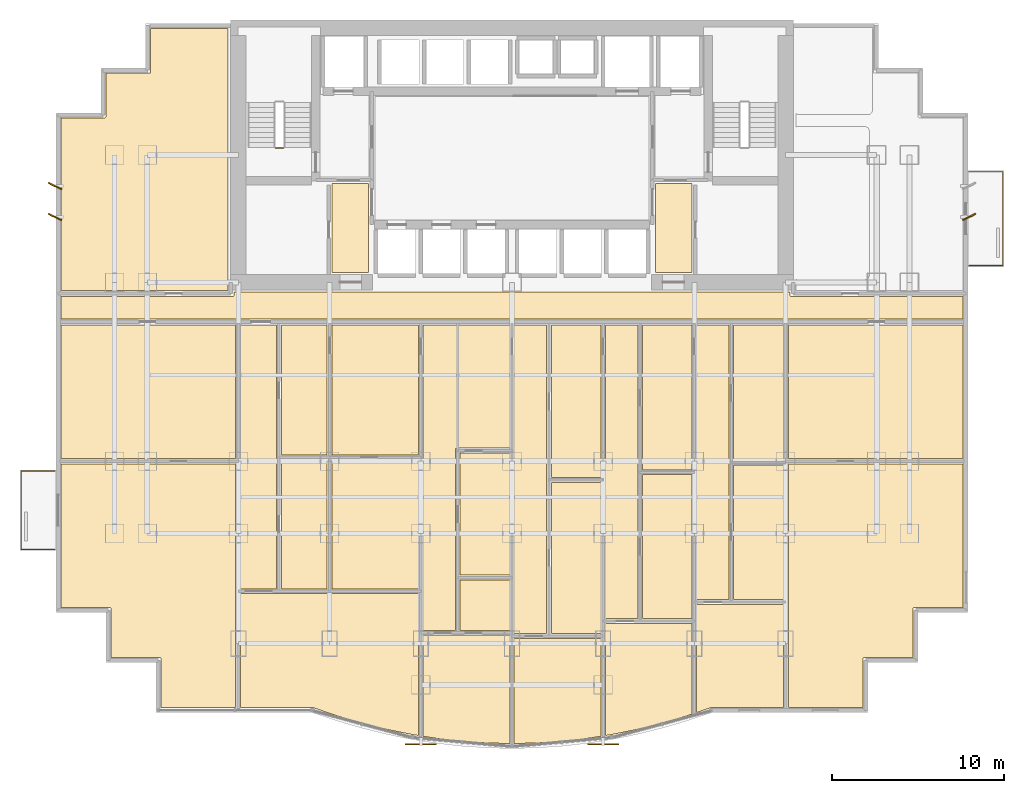
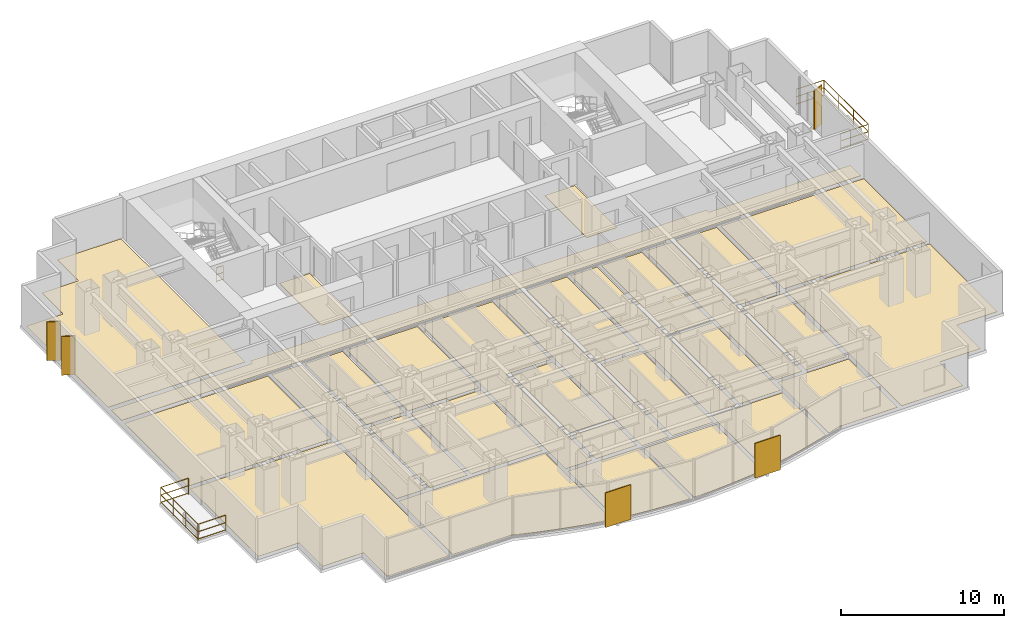
# One storey, part 9 of 10: 30 coverings, 5 shading devices, 3 railings.
"""IFC4 building model written with IfcOpenShell, lengths in metres."""

from ifc_helpers import new_model, si_unit, direction, frame, origin, origin_2d, place, context, subcontext, project, spatial, polyline, rectangle, circle, outline, extrude, source, transform, mapped, material, layer, layer_set, type_object, element, save


model = new_model("IFC4")

# Units and contexts
model_context = context("Model", 3, precision=1e-05, world=origin(), true_north=direction((0.0, 1.0)))
body_context = subcontext(model_context, "Body", "Model", "MODEL_VIEW")
ifc_project = project(units=[si_unit("LENGTHUNIT", "METRE"), si_unit("AREAUNIT", "SQUARE_METRE"), si_unit("VOLUMEUNIT", "CUBIC_METRE"), si_unit("PLANEANGLEUNIT", "RADIAN"), si_unit("MASSUNIT", "GRAM", prefix="KILO")], contexts=[model_context])

# Site, building, storey
site_placement = place(None, origin())
site = spatial("IfcSite", under=ifc_project, at=site_placement, CompositionType="ELEMENT")
building_placement = place(site_placement, origin())
building = spatial("IfcBuilding", under=site, at=building_placement, Name="Qianlan Lanfeng Residences", CompositionType="ELEMENT")
storey_placement = place(building_placement, frame((0.0, 0.0, 60.5)))
storey = spatial("IfcBuildingStorey", under=building, at=storey_placement, Name="L16", CompositionType="ELEMENT", Elevation=60.5)

# Coverings
ifc_material_1 = material(Name="Honed Taitung Granite Stone Flooring", Category="masonry")
ifc_layer_1 = layer(ifc_material_1, 0.030029296875)
ifc_layer_set_1 = layer_set([ifc_layer_1], Name="Honed Taitung Granite Stone Flooring")
covering_type_1 = type_object("IfcCoveringType", Name="FLR-STN-30", PredefinedType="FLOORING", material=ifc_layer_set_1)
covering_1_placement = place(storey_placement, origin())
element("IfcCovering", 1, at=covering_1_placement, inside=storey, type_object=covering_type_1, Name="L16 Residential Corridor Floor Finish", PredefinedType="FLOORING", context=body_context, shape_type="SweptSolid", body=[
    extrude(outline(polyline([(0.2900390625, 23.080078125), (52.7099609375, 23.080078125), (52.7099609375, 24.3701171875), (42.739990234375, 24.3701171875), (42.73291015625, 24.3701171875), (42.72607421875, 24.37109375), (42.719970703125, 24.373046875), (42.712890625, 24.375), (42.70703125, 24.3779296875), (42.700927734375, 24.382080078125), (42.696044921875, 24.385986328125), (42.69091796875, 24.39111328125), (42.68603515625, 24.39599609375), (42.681884765625, 24.40087890625), (42.677978515625, 24.406982421875), (42.675048828125, 24.4130859375), (42.673095703125, 24.419921875), (42.6708984375, 24.426025390625), (42.669921875, 24.43310546875), (42.669921875, 24.43994140625), (42.669921875, 24.64990234375), (10.330078125, 24.64990234375), (10.330078125, 24.43994140625), (10.330078125, 24.43310546875), (10.3291015625, 24.426025390625), (10.326904296875, 24.419921875), (10.324951171875, 24.4130859375), (10.322021484375, 24.406982421875), (10.318115234375, 24.40087890625), (10.31396484375, 24.39599609375), (10.30908203125, 24.39111328125), (10.303955078125, 24.385986328125), (10.299072265625, 24.382080078125), (10.29296875, 24.3779296875), (10.287109375, 24.375), (10.280029296875, 24.373046875), (10.27392578125, 24.37109375), (10.26708984375, 24.3701171875), (10.260009765625, 24.3701171875), (0.2900390625, 24.3701171875), (0.2900390625, 23.080078125)])), origin(), (0.0, 0.0, 1.0), 0.030029296875),
])
covering_2_placement = place(storey_placement, origin())
element("IfcCovering", 2, at=covering_2_placement, inside=storey, type_object=covering_type_1, Name="L16 Lift Lobby Floor Finish", PredefinedType="FLOORING", context=body_context, shape_type="SweptSolid", body=[
    extrude(outline(polyline([(16.030029296875, 25.760009765625), (18.169921875, 25.760009765625), (18.169921875, 30.949951171875), (16.030029296875, 30.949951171875), (16.030029296875, 25.760009765625)])), origin(), (0.0, 0.0, 1.0), 0.030029296875),
])
covering_3_placement = place(storey_placement, origin())
element("IfcCovering", 3, at=covering_3_placement, inside=storey, type_object=covering_type_1, Name="L16 Lift Lobby Floor Finish", PredefinedType="FLOORING", context=body_context, shape_type="SweptSolid", body=[
    extrude(outline(polyline([(34.830078125, 25.760009765625), (36.969970703125, 25.760009765625), (36.969970703125, 30.949951171875), (34.830078125, 30.949951171875), (34.830078125, 25.760009765625)])), origin(), (0.0, 0.0, 1.0), 0.030029296875),
])
ifc_material_2 = material(Name="Slip-Resistant Porcelain Tile Flooring")
ifc_layer_2 = layer(ifc_material_2, 0.02001953125)
ifc_layer_set_2 = layer_set([ifc_layer_2], Name="Slip-Resistant Porcelain Tile Flooring")
covering_type_2 = type_object("IfcCoveringType", Name="FLR-TIL-20", PredefinedType="FLOORING", material=ifc_layer_set_2)
covering_4_placement = place(storey_placement, origin())
element("IfcCovering", 4, at=covering_4_placement, inside=storey, type_object=covering_type_2, Name="L16 Kitchen Floor Finish", PredefinedType="FLOORING", context=body_context, shape_type="SweptSolid", body=[
    extrude(outline(polyline([(13.090087890625, 7.386962890625), (15.760009765625, 7.386962890625), (15.760009765625, 14.884033203125), (13.090087890625, 14.884033203125), (13.090087890625, 7.386962890625)])), origin(), (0.0, 0.0, 1.0), 0.02001953125),
])
covering_5_placement = place(storey_placement, origin())
element("IfcCovering", 5, at=covering_5_placement, inside=storey, type_object=covering_type_2, Name="L16 Bathroom Floor Finish", PredefinedType="FLOORING", context=body_context, shape_type="SweptSolid", body=[
    extrude(outline(polyline([(13.090087890625, 15.1640625), (15.760009765625, 15.1640625), (15.760009765625, 22.72998046875), (13.090087890625, 22.72998046875), (13.090087890625, 15.1640625)])), origin(), (0.0, 0.0, 1.0), 0.02001953125),
])
covering_6_placement = place(storey_placement, origin())
element("IfcCovering", 6, at=covering_6_placement, inside=storey, type_object=covering_type_2, Name="L16 En-Suite Bathroom Floor Finish", PredefinedType="FLOORING", context=body_context, shape_type="SweptSolid", body=[
    extrude(outline(polyline([(23.489990234375, 4.97412109375), (26.3701171875, 4.97412109375), (26.3701171875, 7.89404296875), (23.489990234375, 7.89404296875), (23.489990234375, 4.97412109375)])), origin(), (0.0, 0.0, 1.0), 0.02001953125),
])
ifc_material_3 = material(Name="Engineered Smoked Oak Timber Flooring", Category="wood")
ifc_layer_3 = layer(ifc_material_3, 0.02197265625)
ifc_layer_set_3 = layer_set([ifc_layer_3], Name="Engineered Smoked Oak Timber Flooring")
covering_type_3 = type_object("IfcCoveringType", Name="FLR-TIM-22", PredefinedType="FLOORING", material=ifc_layer_set_3)
covering_7_placement = place(storey_placement, origin())
element("IfcCovering", 7, at=covering_7_placement, inside=storey, type_object=covering_type_3, Name="L16 Living and Dining Room Floor Finish", PredefinedType="FLOORING", context=body_context, shape_type="SweptSolid", body=[
    extrude(outline(polyline([(10.72998046875, 7.10693359375), (10.72998046875, 0.489990234375), (14.885986328125, 0.489990234375), (14.89404296875, 0.489990234375), (14.90087890625, 0.488037109375), (14.908935546875, 0.486083984375), (16.39306640625, -0.014892578125), (17.837890625, -0.43896484375), (19.282958984375, -0.797119140625), (20.72607421875, -1.090087890625), (21.070068359375, -1.14404296875), (21.070068359375, 7.10693359375), (10.72998046875, 7.10693359375)])), origin(), (0.0, 0.0, 1.0), 0.02197265625),
])
covering_8_placement = place(storey_placement, origin())
element("IfcCovering", 8, at=covering_8_placement, inside=storey, type_object=covering_type_3, Name="L16 Family Sitting Room Floor Finish", PredefinedType="FLOORING", context=body_context, shape_type="SweptSolid", body=[
    extrude(outline(polyline([(10.72998046875, 7.386962890625), (12.81005859375, 7.386962890625), (12.81005859375, 22.72998046875), (10.72998046875, 22.72998046875), (10.72998046875, 7.386962890625)])), origin(), (0.0, 0.0, 1.0), 0.02197265625),
])
covering_9_placement = place(storey_placement, origin())
element("IfcCovering", 9, at=covering_9_placement, inside=storey, type_object=covering_type_3, Name="L16 Yoga Studio Floor Finish", PredefinedType="FLOORING", context=body_context, shape_type="SweptSolid", body=[
    extrude(outline(polyline([(16.0400390625, 7.386962890625), (21.06005859375, 7.386962890625), (21.06005859375, 14.884033203125), (16.0400390625, 14.884033203125), (16.0400390625, 7.386962890625)])), origin(), (0.0, 0.0, 1.0), 0.02197265625),
])
covering_10_placement = place(storey_placement, origin())
element("IfcCovering", 10, at=covering_10_placement, inside=storey, type_object=covering_type_3, Name="L16 Club Reading Salon Floor Finish", PredefinedType="FLOORING", context=body_context, shape_type="SweptSolid", body=[
    extrude(outline(polyline([(16.0400390625, 15.1640625), (21.06005859375, 15.1640625), (21.06005859375, 22.72998046875), (16.0400390625, 22.72998046875), (16.0400390625, 15.1640625)])), origin(), (0.0, 0.0, 1.0), 0.02197265625),
])
covering_11_placement = place(storey_placement, origin())
element("IfcCovering", 11, at=covering_11_placement, inside=storey, type_object=covering_type_3, Name="L16 Private Study Floor Finish", PredefinedType="FLOORING", context=body_context, shape_type="SweptSolid", body=[
    extrude(outline(polyline([(23.489990234375, 8.174072265625), (26.3701171875, 8.174072265625), (26.3701171875, 15.277099609375), (23.489990234375, 15.277099609375), (23.489990234375, 8.174072265625)])), origin(), (0.0, 0.0, 1.0), 0.02197265625),
])
covering_12_placement = place(storey_placement, origin())
element("IfcCovering", 12, at=covering_12_placement, inside=storey, type_object=covering_type_3, Name="L16 Villa Family Sitting Room Floor Finish", PredefinedType="FLOORING", context=body_context, shape_type="SweptSolid", body=[
    extrude(outline(polyline([(21.330078125, 4.97412109375), (23.2099609375, 4.97412109375), (23.2099609375, 15.487060546875), (23.2099609375, 15.493896484375), (23.2109375, 15.5009765625), (23.212890625, 15.507080078125), (23.215087890625, 15.513916015625), (23.218017578125, 15.52001953125), (23.221923828125, 15.52587890625), (23.22607421875, 15.531005859375), (23.23095703125, 15.535888671875), (23.236083984375, 15.541015625), (23.240966796875, 15.544921875), (23.2470703125, 15.549072265625), (23.2529296875, 15.552001953125), (23.260009765625, 15.553955078125), (23.26611328125, 15.555908203125), (23.27294921875, 15.556884765625), (23.280029296875, 15.556884765625), (26.3701171875, 15.556884765625), (26.3701171875, 22.72998046875), (21.330078125, 22.72998046875), (21.330078125, 4.97412109375)])), origin(), (0.0, 0.0, 1.0), 0.02197265625),
])
covering_13_placement = place(storey_placement, origin())
element("IfcCovering", 13, at=covering_13_placement, inside=storey, type_object=covering_type_3, Name="L16 Master Bedroom Floor Finish", PredefinedType="FLOORING", context=body_context, shape_type="SweptSolid", body=[
    extrude(outline(polyline([(21.330078125, 4.694091796875), (21.330078125, -1.18505859375), (22.169921875, -1.318115234375), (23.613037109375, -1.47998046875), (25.056884765625, -1.576904296875), (26.3701171875, -1.60693359375), (26.3701171875, 4.694091796875), (21.330078125, 4.694091796875)])), origin(), (0.0, 0.0, 1.0), 0.02197265625),
])
covering_14_placement = place(storey_placement, origin())
element("IfcCovering", 14, at=covering_14_placement, inside=storey, type_object=covering_type_3, Name="L16 Guest Bedroom Floor Finish", PredefinedType="FLOORING", context=body_context, shape_type="SweptSolid", body=[
    extrude(outline(polyline([(26.6298828125, 4.493896484375), (26.6298828125, -1.60693359375), (27.943115234375, -1.576904296875), (29.385986328125, -1.47998046875), (30.830078125, -1.318115234375), (31.669921875, -1.18505859375), (31.669921875, 4.493896484375), (26.6298828125, 4.493896484375)])), origin(), (0.0, 0.0, 1.0), 0.02197265625),
])
covering_15_placement = place(storey_placement, origin())
element("IfcCovering", 15, at=covering_15_placement, inside=storey, type_object=covering_type_3, Name="L16 Private Study Floor Finish", PredefinedType="FLOORING", context=body_context, shape_type="SweptSolid", body=[
    extrude(outline(polyline([(28.7900390625, 4.77392578125), (31.669921875, 4.77392578125), (31.669921875, 13.576904296875), (28.7900390625, 13.576904296875), (28.7900390625, 4.77392578125)])), origin(), (0.0, 0.0, 1.0), 0.02197265625),
])
covering_16_placement = place(storey_placement, origin())
element("IfcCovering", 16, at=covering_16_placement, inside=storey, type_object=covering_type_3, Name="L16 Yoga Studio Floor Finish", PredefinedType="FLOORING", context=body_context, shape_type="SweptSolid", body=[
    extrude(outline(polyline([(28.7900390625, 13.85693359375), (31.669921875, 13.85693359375), (31.669921875, 22.72998046875), (28.7900390625, 22.72998046875), (28.7900390625, 13.85693359375)])), origin(), (0.0, 0.0, 1.0), 0.02197265625),
])
covering_17_placement = place(storey_placement, origin())
element("IfcCovering", 17, at=covering_17_placement, inside=storey, type_object=covering_type_3, Name="L16 Home Office Floor Finish", PredefinedType="FLOORING", context=body_context, shape_type="SweptSolid", body=[
    extrude(outline(polyline([(26.6298828125, 4.77392578125), (28.510009765625, 4.77392578125), (28.510009765625, 22.72998046875), (26.6298828125, 22.72998046875), (26.6298828125, 4.77392578125)])), origin(), (0.0, 0.0, 1.0), 0.02197265625),
])
covering_18_placement = place(storey_placement, origin())
element("IfcCovering", 18, at=covering_18_placement, inside=storey, type_object=covering_type_3, Name="L16 Guest Bedroom Floor Finish", PredefinedType="FLOORING", context=body_context, shape_type="SweptSolid", body=[
    extrude(outline(polyline([(31.929931640625, 5.373046875), (31.929931640625, -1.14404296875), (32.27392578125, -1.090087890625), (33.717041015625, -0.797119140625), (35.160888671875, -0.43896484375), (36.60693359375, -0.014892578125), (36.969970703125, 0.10693359375), (36.969970703125, 5.373046875), (31.929931640625, 5.373046875)])), origin(), (0.0, 0.0, 1.0), 0.02197265625),
])
covering_19_placement = place(storey_placement, origin())
element("IfcCovering", 19, at=covering_19_placement, inside=storey, type_object=covering_type_3, Name="L16 Private Study Floor Finish", PredefinedType="FLOORING", context=body_context, shape_type="SweptSolid", body=[
    extrude(outline(polyline([(34.090087890625, 5.653076171875), (36.969970703125, 5.653076171875), (36.969970703125, 14.01708984375), (34.090087890625, 14.01708984375), (34.090087890625, 5.653076171875)])), origin(), (0.0, 0.0, 1.0), 0.02197265625),
])
covering_20_placement = place(storey_placement, origin())
element("IfcCovering", 20, at=covering_20_placement, inside=storey, type_object=covering_type_3, Name="L16 Yoga Studio Floor Finish", PredefinedType="FLOORING", context=body_context, shape_type="SweptSolid", body=[
    extrude(outline(polyline([(34.090087890625, 14.297119140625), (36.969970703125, 14.297119140625), (36.969970703125, 22.72998046875), (34.090087890625, 22.72998046875), (34.090087890625, 14.297119140625)])), origin(), (0.0, 0.0, 1.0), 0.02197265625),
])
covering_21_placement = place(storey_placement, origin())
element("IfcCovering", 21, at=covering_21_placement, inside=storey, type_object=covering_type_3, Name="L16 Home Office Floor Finish", PredefinedType="FLOORING", context=body_context, shape_type="SweptSolid", body=[
    extrude(outline(polyline([(31.929931640625, 5.653076171875), (33.81005859375, 5.653076171875), (33.81005859375, 22.72998046875), (31.929931640625, 22.72998046875), (31.929931640625, 5.653076171875)])), origin(), (0.0, 0.0, 1.0), 0.02197265625),
])
covering_22_placement = place(storey_placement, origin())
element("IfcCovering", 22, at=covering_22_placement, inside=storey, type_object=covering_type_3, Name="L16 Guest Bedroom Floor Finish", PredefinedType="FLOORING", context=body_context, shape_type="SweptSolid", body=[
    extrude(outline(polyline([(37.22998046875, 6.47998046875), (37.22998046875, 0.195068359375), (38.091064453125, 0.486083984375), (38.09912109375, 0.488037109375), (38.10595703125, 0.489990234375), (38.114013671875, 0.489990234375), (42.27001953125, 0.489990234375), (42.27001953125, 6.47998046875), (37.22998046875, 6.47998046875)])), origin(), (0.0, 0.0, 1.0), 0.02197265625),
])
covering_23_placement = place(storey_placement, origin())
element("IfcCovering", 23, at=covering_23_placement, inside=storey, type_object=covering_type_3, Name="L16 Private Study Floor Finish", PredefinedType="FLOORING", context=body_context, shape_type="SweptSolid", body=[
    extrude(outline(polyline([(39.389892578125, 6.760009765625), (42.27001953125, 6.760009765625), (42.27001953125, 14.570068359375), (39.389892578125, 14.570068359375), (39.389892578125, 6.760009765625)])), origin(), (0.0, 0.0, 1.0), 0.02197265625),
])
covering_24_placement = place(storey_placement, origin())
element("IfcCovering", 24, at=covering_24_placement, inside=storey, type_object=covering_type_3, Name="L16 Yoga Studio Floor Finish", PredefinedType="FLOORING", context=body_context, shape_type="SweptSolid", body=[
    extrude(outline(polyline([(39.389892578125, 14.85009765625), (42.27001953125, 14.85009765625), (42.27001953125, 22.72998046875), (39.389892578125, 22.72998046875), (39.389892578125, 14.85009765625)])), origin(), (0.0, 0.0, 1.0), 0.02197265625),
])
covering_25_placement = place(storey_placement, origin())
element("IfcCovering", 25, at=covering_25_placement, inside=storey, type_object=covering_type_3, Name="L16 Home Office Floor Finish", PredefinedType="FLOORING", context=body_context, shape_type="SweptSolid", body=[
    extrude(outline(polyline([(37.22998046875, 6.760009765625), (39.110107421875, 6.760009765625), (39.110107421875, 22.72998046875), (37.22998046875, 22.72998046875), (37.22998046875, 6.760009765625)])), origin(), (0.0, 0.0, 1.0), 0.02197265625),
])
covering_26_placement = place(storey_placement, origin())
element("IfcCovering", 26, at=covering_26_placement, inside=storey, type_object=covering_type_3, Name="L16 Sunroom Floor Finish", PredefinedType="FLOORING", context=body_context, shape_type="SweptSolid", body=[
    extrude(outline(polyline([(10.43994140625, 14.64990234375), (0.2900390625, 14.64990234375), (0.2900390625, 6.2900390625), (3.1201171875, 6.2900390625), (3.126953125, 6.2900390625), (3.134033203125, 6.2890625), (3.139892578125, 6.287109375), (3.14697265625, 6.284912109375), (3.153076171875, 6.281982421875), (3.158935546875, 6.278076171875), (3.1640625, 6.27392578125), (3.1689453125, 6.26904296875), (3.174072265625, 6.263916015625), (3.177978515625, 6.259033203125), (3.181884765625, 6.2529296875), (3.18505859375, 6.2470703125), (3.18701171875, 6.239990234375), (3.18896484375, 6.23388671875), (3.18994140625, 6.22705078125), (3.18994140625, 6.219970703125), (3.18994140625, 3.389892578125), (6.02001953125, 3.389892578125), (6.027099609375, 3.389892578125), (6.033935546875, 3.388916015625), (6.0400390625, 3.386962890625), (6.047119140625, 3.385009765625), (6.052978515625, 3.382080078125), (6.05908203125, 3.3779296875), (6.06396484375, 3.3740234375), (6.069091796875, 3.368896484375), (6.073974609375, 3.364013671875), (6.077880859375, 3.35888671875), (6.08203125, 3.35302734375), (6.0849609375, 3.346923828125), (6.0869140625, 3.340087890625), (6.089111328125, 3.333984375), (6.090087890625, 3.326904296875), (6.090087890625, 3.320068359375), (6.090087890625, 0.489990234375), (10.43994140625, 0.489990234375), (10.43994140625, 14.64990234375)])), origin(), (0.0, 0.0, 1.0), 0.02197265625),
])
covering_27_placement = place(storey_placement, origin())
element("IfcCovering", 27, at=covering_27_placement, inside=storey, type_object=covering_type_3, Name="L16 Family Sitting Room Floor Finish", PredefinedType="FLOORING", context=body_context, shape_type="SweptSolid", body=[
    extrude(outline(polyline([(10.43994140625, 22.72998046875), (0.2900390625, 22.72998046875), (0.2900390625, 14.949951171875), (10.43994140625, 14.949951171875), (10.43994140625, 22.72998046875)])), origin(), (0.0, 0.0, 1.0), 0.02197265625),
])
covering_28_placement = place(storey_placement, origin())
element("IfcCovering", 28, at=covering_28_placement, inside=storey, type_object=covering_type_3, Name="L16 Sunroom Floor Finish", PredefinedType="FLOORING", context=body_context, shape_type="SweptSolid", body=[
    extrude(outline(polyline([(52.7099609375, 14.64990234375), (42.56005859375, 14.64990234375), (42.56005859375, 0.489990234375), (46.909912109375, 0.489990234375), (46.909912109375, 3.320068359375), (46.909912109375, 3.326904296875), (46.910888671875, 3.333984375), (46.9130859375, 3.340087890625), (46.9150390625, 3.346923828125), (46.91796875, 3.35302734375), (46.922119140625, 3.35888671875), (46.926025390625, 3.364013671875), (46.930908203125, 3.368896484375), (46.93603515625, 3.3740234375), (46.94091796875, 3.3779296875), (46.947021484375, 3.382080078125), (46.952880859375, 3.385009765625), (46.9599609375, 3.386962890625), (46.966064453125, 3.388916015625), (46.972900390625, 3.389892578125), (46.97998046875, 3.389892578125), (49.81005859375, 3.389892578125), (49.81005859375, 6.219970703125), (49.81005859375, 6.22705078125), (49.81103515625, 6.23388671875), (49.81298828125, 6.239990234375), (49.81494140625, 6.2470703125), (49.818115234375, 6.2529296875), (49.822021484375, 6.259033203125), (49.825927734375, 6.263916015625), (49.8310546875, 6.26904296875), (49.8359375, 6.27392578125), (49.841064453125, 6.278076171875), (49.846923828125, 6.281982421875), (49.85302734375, 6.284912109375), (49.860107421875, 6.287109375), (49.865966796875, 6.2890625), (49.873046875, 6.2900390625), (49.8798828125, 6.2900390625), (52.7099609375, 6.2900390625), (52.7099609375, 14.64990234375)])), origin(), (0.0, 0.0, 1.0), 0.02197265625),
])
covering_29_placement = place(storey_placement, origin())
element("IfcCovering", 29, at=covering_29_placement, inside=storey, type_object=covering_type_3, Name="L16 Private Study Floor Finish", PredefinedType="FLOORING", context=body_context, shape_type="SweptSolid", body=[
    extrude(outline(polyline([(52.7099609375, 22.72998046875), (42.56005859375, 22.72998046875), (42.56005859375, 14.949951171875), (52.7099609375, 14.949951171875), (52.7099609375, 22.72998046875)])), origin(), (0.0, 0.0, 1.0), 0.02197265625),
])
covering_30_placement = place(storey_placement, origin())
element("IfcCovering", 30, at=covering_30_placement, inside=storey, type_object=covering_type_3, Name="L16 Yoga Studio Floor Finish", PredefinedType="FLOORING", context=body_context, shape_type="SweptSolid", body=[
    extrude(outline(polyline([(10.0, 24.719970703125), (10.0, 39.9599609375), (5.489990234375, 39.9599609375), (5.489990234375, 37.429931640625), (5.489990234375, 37.423095703125), (5.489013671875, 37.416015625), (5.487060546875, 37.409912109375), (5.485107421875, 37.403076171875), (5.48193359375, 37.39697265625), (5.47802734375, 37.39111328125), (5.47412109375, 37.385986328125), (5.468994140625, 37.381103515625), (5.464111328125, 37.3759765625), (5.458984375, 37.3720703125), (5.452880859375, 37.367919921875), (5.447021484375, 37.364990234375), (5.43994140625, 37.363037109375), (5.43408203125, 37.361083984375), (5.427001953125, 37.360107421875), (5.419921875, 37.360107421875), (2.889892578125, 37.360107421875), (2.889892578125, 34.830078125), (2.889892578125, 34.822998046875), (2.888916015625, 34.81591796875), (2.886962890625, 34.81005859375), (2.885009765625, 34.802978515625), (2.882080078125, 34.797119140625), (2.8779296875, 34.791015625), (2.8740234375, 34.785888671875), (2.868896484375, 34.781005859375), (2.864013671875, 34.77587890625), (2.85888671875, 34.77197265625), (2.85302734375, 34.76806640625), (2.846923828125, 34.764892578125), (2.840087890625, 34.762939453125), (2.833984375, 34.760986328125), (2.826904296875, 34.760009765625), (2.820068359375, 34.760009765625), (0.2900390625, 34.760009765625), (0.2900390625, 24.719970703125), (10.0, 24.719970703125)])), origin(), (0.0, 0.0, 1.0), 0.02197265625),
])

# Railings
ifc_material_4 = material(Name="Anodised Bronze Aluminium and Laminated Glass Guard Balustrade", Category="aluminium")
railing_type_1 = type_object("IfcRailingType", Name="GR-EXT-1220", PredefinedType="BALUSTRADE", material=ifc_material_4)
railing_1_placement = place(storey_placement, frame((-0.070068359375, 9.669921875, 0.0)))
element("IfcRailing", 31, at=railing_1_placement, inside=storey, type_object=railing_type_1, Name="L16 Terrace Safety Guard GR-L16-WB-S", PredefinedType="BALUSTRADE", context=body_context, shape_type="SweptSolid", body=[
    extrude(circle(Radius=0.02490234375, at=origin_2d()), frame((0.0, 0.0, 0.0849609375), z_axis=(-1.0, 0.0, 0.0), x_axis=(0.0, -1.0, 0.0)), (0.0, 0.0, 1.0), 1.9599609375),
    extrude(circle(Radius=0.02490234375, at=origin_2d()), frame((0.0, 0.0, 0.63427734375), z_axis=(-1.0, 0.0, 0.0), x_axis=(0.0, -1.0, 0.0)), (0.0, 0.0, 1.0), 1.9599609375),
    extrude(circle(Radius=0.02490234375, at=origin_2d()), frame((0.0, 0.0, 1.19482421875), z_axis=(-1.0, 0.0, 0.0), x_axis=(0.0, -1.0, 0.0)), (0.0, 0.0, 1.0), 1.9599609375),
    extrude(circle(Radius=0.02490234375, at=origin_2d()), frame((-1.9599609375, 0.0, 0.0849609375), z_axis=(0.0, 1.0, 0.0), x_axis=(-1.0, 0.0, 0.0)), (0.0, 0.0, 1.0), 4.56005859375),
    extrude(circle(Radius=0.02490234375, at=origin_2d()), frame((-1.9599609375, 0.0, 0.63427734375), z_axis=(0.0, 1.0, 0.0), x_axis=(-1.0, 0.0, 0.0)), (0.0, 0.0, 1.0), 4.56005859375),
    extrude(circle(Radius=0.02490234375, at=origin_2d()), frame((-1.9599609375, 0.0, 1.19482421875), z_axis=(0.0, 1.0, 0.0), x_axis=(-1.0, 0.0, 0.0)), (0.0, 0.0, 1.0), 4.56005859375),
    extrude(circle(Radius=0.02490234375, at=origin_2d()), frame((-1.9599609375, 4.56005859375, 0.0849609375), z_axis=(1.0, 0.0, 0.0), x_axis=(0.0, 1.0, 0.0)), (0.0, 0.0, 1.0), 1.9599609375),
    extrude(circle(Radius=0.02490234375, at=origin_2d()), frame((-1.9599609375, 4.56005859375, 0.63427734375), z_axis=(1.0, 0.0, 0.0), x_axis=(0.0, 1.0, 0.0)), (0.0, 0.0, 1.0), 1.9599609375),
    extrude(circle(Radius=0.02490234375, at=origin_2d()), frame((-1.9599609375, 4.56005859375, 1.19482421875), z_axis=(1.0, 0.0, 0.0), x_axis=(0.0, 1.0, 0.0)), (0.0, 0.0, 1.0), 1.9599609375),
    extrude(circle(Radius=0.02099609375, at=origin_2d()), origin(), (0.0, 0.0, 1.0), 1.169921875),
    extrude(circle(Radius=0.02099609375, at=origin_2d()), frame((-1.9599609375, 0.0, 0.0)), (0.0, 0.0, 1.0), 1.169921875),
    extrude(circle(Radius=0.02099609375, at=origin_2d()), frame((-1.9599609375, 1.52001953125, 0.0)), (0.0, 0.0, 1.0), 1.169921875),
    extrude(circle(Radius=0.02099609375, at=origin_2d()), frame((-1.9599609375, 3.0400390625, 0.0)), (0.0, 0.0, 1.0), 1.169921875),
    extrude(circle(Radius=0.02099609375, at=origin_2d()), frame((-1.9599609375, 4.56005859375, 0.0)), (0.0, 0.0, 1.0), 1.169921875),
    extrude(circle(Radius=0.02099609375, at=origin_2d()), frame((0.0, 4.56005859375, 0.0)), (0.0, 0.0, 1.0), 1.169921875),
])
railing_2_placement = place(storey_placement, frame((53.070068359375, 31.6298828125, 0.0)))
element("IfcRailing", 32, at=railing_2_placement, inside=storey, type_object=railing_type_1, Name="L16 Terrace Safety Guard GR-L16-EB-N", PredefinedType="BALUSTRADE", context=body_context, shape_type="SweptSolid", body=[
    extrude(circle(Radius=0.02490234375, at=origin_2d()), frame((0.0, 0.0, 0.0849609375), z_axis=(1.0, 0.0, 0.0), x_axis=(0.0, 1.0, 0.0)), (0.0, 0.0, 1.0), 1.9599609375),
    extrude(circle(Radius=0.02490234375, at=origin_2d()), frame((0.0, 0.0, 0.63427734375), z_axis=(1.0, 0.0, 0.0), x_axis=(0.0, 1.0, 0.0)), (0.0, 0.0, 1.0), 1.9599609375),
    extrude(circle(Radius=0.02490234375, at=origin_2d()), frame((0.0, 0.0, 1.19482421875), z_axis=(1.0, 0.0, 0.0), x_axis=(0.0, 1.0, 0.0)), (0.0, 0.0, 1.0), 1.9599609375),
    extrude(circle(Radius=0.02490234375, at=origin_2d()), frame((1.9599609375, 0.0, 0.0849609375), z_axis=(0.0, -1.0, 0.0), x_axis=(1.0, 0.0, 0.0)), (0.0, 0.0, 1.0), 5.4599609375),
    extrude(circle(Radius=0.02490234375, at=origin_2d()), frame((1.9599609375, 0.0, 0.63427734375), z_axis=(0.0, -1.0, 0.0), x_axis=(1.0, 0.0, 0.0)), (0.0, 0.0, 1.0), 5.4599609375),
    extrude(circle(Radius=0.02490234375, at=origin_2d()), frame((1.9599609375, 0.0, 1.19482421875), z_axis=(0.0, -1.0, 0.0), x_axis=(1.0, 0.0, 0.0)), (0.0, 0.0, 1.0), 5.4599609375),
    extrude(circle(Radius=0.02490234375, at=origin_2d()), frame((1.9599609375, -5.4599609375, 0.0849609375), z_axis=(-1.0, 0.0, 0.0), x_axis=(0.0, -1.0, 0.0)), (0.0, 0.0, 1.0), 1.9599609375),
    extrude(circle(Radius=0.02490234375, at=origin_2d()), frame((1.9599609375, -5.4599609375, 0.63427734375), z_axis=(-1.0, 0.0, 0.0), x_axis=(0.0, -1.0, 0.0)), (0.0, 0.0, 1.0), 1.9599609375),
    extrude(circle(Radius=0.02490234375, at=origin_2d()), frame((1.9599609375, -5.4599609375, 1.19482421875), z_axis=(-1.0, 0.0, 0.0), x_axis=(0.0, -1.0, 0.0)), (0.0, 0.0, 1.0), 1.9599609375),
    extrude(circle(Radius=0.02099609375, at=origin_2d()), origin(), (0.0, 0.0, 1.0), 1.169921875),
    extrude(circle(Radius=0.02099609375, at=origin_2d()), frame((1.9599609375, 0.0, 0.0)), (0.0, 0.0, 1.0), 1.169921875),
    extrude(circle(Radius=0.02099609375, at=origin_2d()), frame((1.9599609375, -1.820068359375, 0.0)), (0.0, 0.0, 1.0), 1.169921875),
    extrude(circle(Radius=0.02099609375, at=origin_2d()), frame((1.9599609375, -3.639892578125, 0.0)), (0.0, 0.0, 1.0), 1.169921875),
    extrude(circle(Radius=0.02099609375, at=origin_2d()), frame((1.9599609375, -5.4599609375, 0.0)), (0.0, 0.0, 1.0), 1.169921875),
    extrude(circle(Radius=0.02099609375, at=origin_2d()), frame((0.0, -5.4599609375, 0.0)), (0.0, 0.0, 1.0), 1.169921875),
])
ifc_material_5 = material(Name="Painted Galvanised Steel Guardrail", Category="steel")
railing_type_2 = type_object("IfcRailingType", Name="GR-ST-1120", PredefinedType="GUARDRAIL", material=ifc_material_5)
railing_3_placement = place(storey_placement, frame((13.219970703125, 33.0, 0.0)))
element("IfcRailing", 33, at=railing_3_placement, inside=storey, type_object=railing_type_2, Name="L16 ST-1 stair guard 4", PredefinedType="GUARDRAIL", context=body_context, shape_type="SweptSolid", body=[
    extrude(circle(Radius=0.02392578125, at=origin_2d()), frame((0.0, 0.0, 0.083984375), z_axis=(-1.0, 0.0, 0.0), x_axis=(0.0, -1.0, 0.0)), (0.0, 0.0, 1.0), 0.47998046875),
    extrude(circle(Radius=0.02392578125, at=origin_2d()), frame((0.0, 0.0, 0.58251953125), z_axis=(-1.0, 0.0, 0.0), x_axis=(0.0, -1.0, 0.0)), (0.0, 0.0, 1.0), 0.47998046875),
    extrude(circle(Radius=0.02392578125, at=origin_2d()), frame((0.0, 0.0, 1.09619140625), z_axis=(-1.0, 0.0, 0.0), x_axis=(0.0, -1.0, 0.0)), (0.0, 0.0, 1.0), 0.47998046875),
    extrude(circle(Radius=0.02099609375, at=origin_2d()), origin(), (0.0, 0.0, 1.0), 1.072021484375),
    extrude(circle(Radius=0.02099609375, at=origin_2d()), frame((-0.47998046875, 0.0, 0.0)), (0.0, 0.0, 1.0), 1.072021484375),
])

# Shading devices
ifc_material_6 = material(Name="Perforated Bronze Aluminium Solar Screen", Category="aluminium")
shading_device_type_1 = type_object("IfcShadingDeviceType", Name="SCR-BRZ-1800", PredefinedType="JALOUSIE", material=ifc_material_6)
shared_shape_1 = source(origin(), body_context, "Body", "SweptSolid", [
    extrude(rectangle(XDim=1.800048828125, YDim=0.06005859375, at=origin_2d()), origin(), (0.0, 0.0, 1.0), 2.60009765625),
])
for number, where, z_axis, x_axis, name in (
    (34, (21.199951171875, -1.659912109375, 0.0), (0.0, 0.0, 1.0), (1.0, 0.0, 0.0), "L16 Perforated Bronze Solar Screen 1"),
    (35, (31.800048828125, -1.659912109375, 0.0), (0.0, 0.0, 1.0), (1.0, 0.0, 0.0), "L16 Perforated Bronze Solar Screen 2"),
):
    element("IfcShadingDevice", number, at=place(storey_placement, frame(where, z_axis=z_axis, x_axis=x_axis)), inside=storey, type_object=shading_device_type_1, Name=name, PredefinedType="JALOUSIE", context=body_context, shape_type="MappedRepresentation", body=[
        mapped(shared_shape_1, transform((0.0, 0.0, 0.0), scale=1.0)),
    ])
ifc_material_7 = material(Name="Anodised Bronze Aluminium Solar Fin", Category="aluminium")
shading_device_type_2 = type_object("IfcShadingDeviceType", Name="FIN-BRZ-850", PredefinedType="SHUTTER", material=ifc_material_7)
shared_shape_2 = source(origin(), body_context, "Body", "SweptSolid", [
    extrude(rectangle(XDim=0.85009765625, YDim=0.080078125, at=origin_2d()), origin(), (0.0, 0.0, 1.0), 2.89990234375),
])
for number, where, z_axis, x_axis, name in (
    (36, (-0.070068359375, 29.0, 0.0), (0.0, 0.0, 1.0), (0.898794046299, -0.438371146789, 0.0), "L16 Raked Bronze Solar Fin W1"),
    (37, (-0.070068359375, 30.800048828125, 0.0), (0.0, 0.0, 1.0), (0.898794046299, -0.438371146789, 0.0), "L16 Raked Bronze Solar Fin W2"),
    (38, (53.070068359375, 29.0, 0.0), (0.0, 0.0, 1.0), (0.898794046299, 0.438371146789, 0.0), "L16 Raked Bronze Solar Fin E1"),
):
    element("IfcShadingDevice", number, at=place(storey_placement, frame(where, z_axis=z_axis, x_axis=x_axis)), inside=storey, type_object=shading_device_type_2, Name=name, PredefinedType="SHUTTER", context=body_context, shape_type="MappedRepresentation", body=[
        mapped(shared_shape_2, transform((0.0, 0.0, 0.0), scale=1.0)),
    ])

save(model, "model.ifc")
